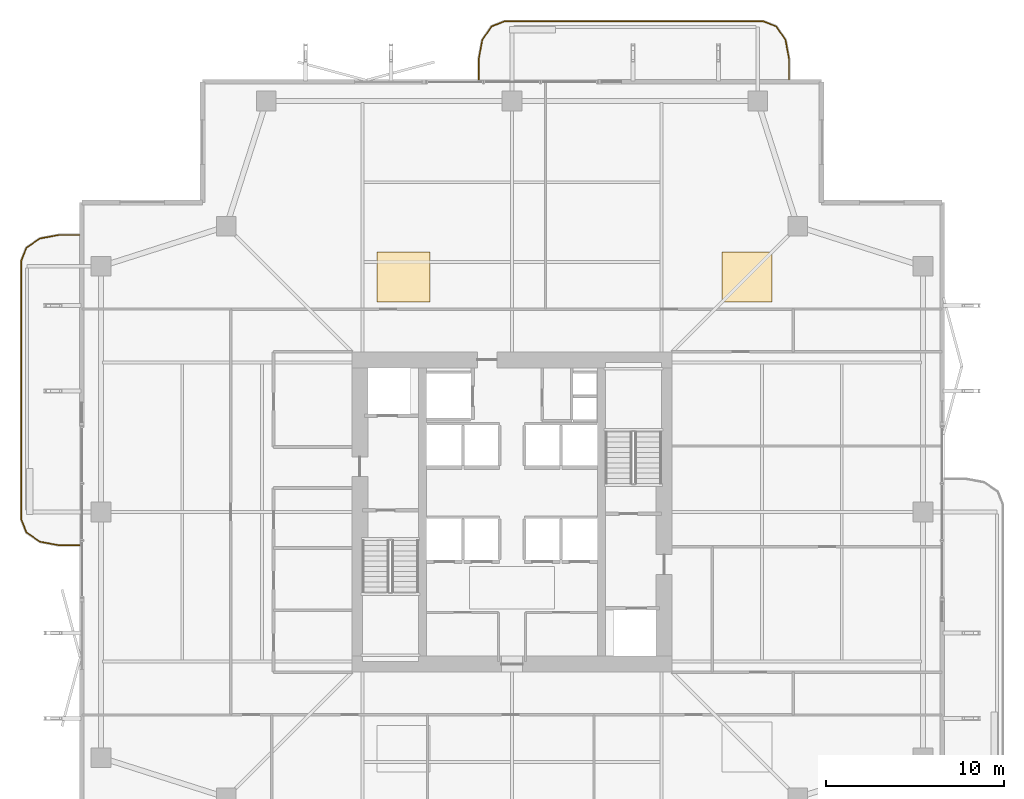
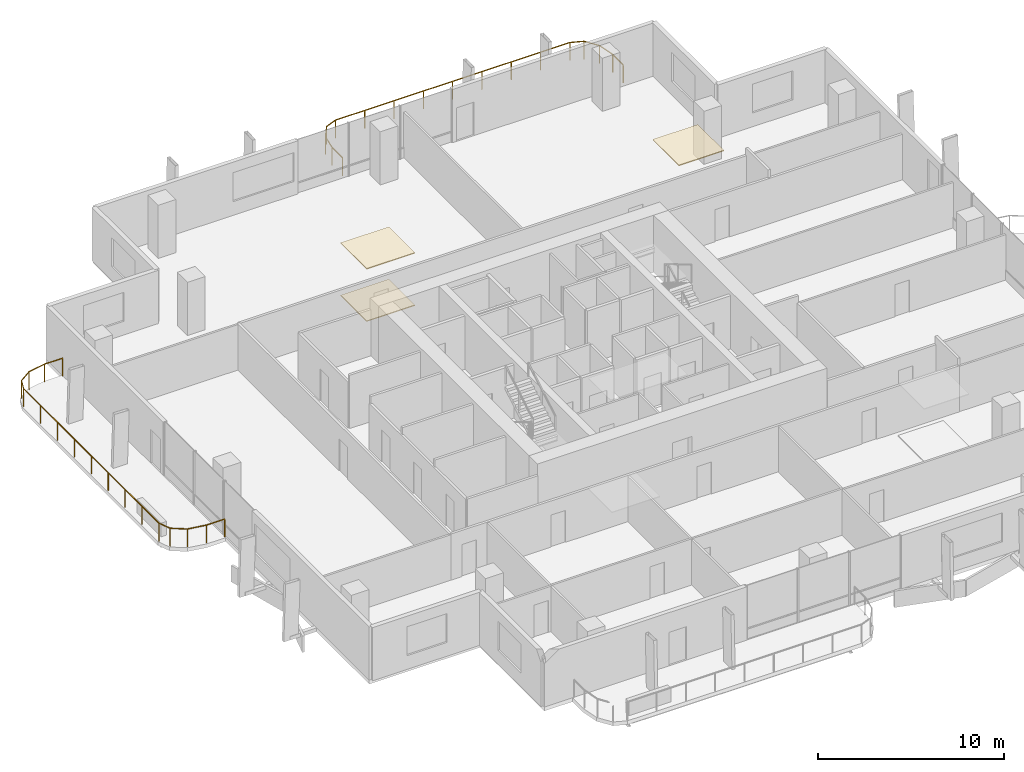
# One storey, part 25 of 25: 3 coverings, 2 railings.
"""IFC4 building model written with IfcOpenShell, lengths in metres."""

from ifc_helpers import new_model, si_unit, direction, frame, origin, origin_2d, place, context, subcontext, project, spatial, polyline, rectangle, outline, extrude, material, layer, layer_set, type_object, element, save


model = new_model("IFC4")

# Units and contexts
model_context = context("Model", 3, precision=1e-05, world=origin(), true_north=direction((0.0, 1.0)))
body_context = subcontext(model_context, "Body", "Model", "MODEL_VIEW")
ifc_project = project(units=[si_unit("LENGTHUNIT", "METRE"), si_unit("AREAUNIT", "SQUARE_METRE"), si_unit("VOLUMEUNIT", "CUBIC_METRE"), si_unit("PLANEANGLEUNIT", "RADIAN"), si_unit("MASSUNIT", "GRAM", prefix="KILO")], contexts=[model_context])

# Site, building, storey
site_placement = place(None, origin())
site = spatial("IfcSite", under=ifc_project, at=site_placement, CompositionType="ELEMENT")
building_placement = place(site_placement, origin())
building = spatial("IfcBuilding", under=site, at=building_placement, Name="Belovzor Exchange Tower", CompositionType="ELEMENT")
storey_placement = place(building_placement, frame((0.0, 0.0, 149.550048828125)))
storey = spatial("IfcBuildingStorey", under=building, at=storey_placement, Name="L36", CompositionType="ELEMENT", Elevation=149.550048828125)

# Railings
ifc_material_1 = material(Name="Stainless Steel and Laminated Safety Glass", Category="steel")
railing_type = type_object("IfcRailingType", Name="Laminated Glass & Stainless Steel Balcony Balustrade 1200", PredefinedType="BALUSTRADE", material=ifc_material_1)
railing_1_placement = place(storey_placement, frame((44.3701171875, 53.110107421875, 0.0)))
element("IfcRailing", 1, at=railing_1_placement, inside=storey, type_object=railing_type, Name="GR-1 Balcony Balustrade L36 North", PredefinedType="BALUSTRADE", context=body_context, shape_type="SweptSolid", body=[
    extrude(rectangle(XDim=0.048095703125, YDim=0.048095703125, at=origin_2d()), frame((0.0, 0.0, 1.17578125), z_axis=(0.0, 1.0, 0.0), x_axis=(-1.0, 0.0, 0.0)), (0.0, 0.0, 1.0), 1.1328125),
    extrude(rectangle(XDim=0.048095703125, YDim=0.048095703125, at=origin_2d()), frame((0.0, 1.1328125, 1.17578125), z_axis=(-0.180083182347, 0.983651385113, 0.0), x_axis=(-0.983651385113, -0.180083182347, 0.0)), (0.0, 0.0, 1.0), 1.093994140625),
    extrude(rectangle(XDim=0.048095703125, YDim=0.048095703125, at=origin_2d()), frame((-0.197021484375, 2.208984375, 1.17578125), z_axis=(-0.56294695933, 0.826493025367, 0.0), x_axis=(-0.826493025367, -0.56294695933, 0.0)), (0.0, 0.0, 1.0), 0.932861328125),
    extrude(rectangle(XDim=0.048095703125, YDim=0.048095703125, at=origin_2d()), frame((-0.72216796875, 2.97998046875, 1.17578125), z_axis=(-0.930766990125, 0.365612923861, 0.0), x_axis=(-0.365612923861, -0.930766990125, 0.0)), (0.0, 0.0, 1.0), 0.765869140625),
    extrude(rectangle(XDim=0.048095703125, YDim=0.048095703125, at=origin_2d()), frame((-1.43505859375, 3.260009765625, 1.17578125), z_axis=(-1.0, 0.0, 0.0), x_axis=(0.0, -1.0, 0.0)), (0.0, 0.0, 1.0), 14.570068359375),
    extrude(rectangle(XDim=0.048095703125, YDim=0.048095703125, at=origin_2d()), frame((-16.005126953125, 3.260009765625, 1.17578125), z_axis=(-0.930766990125, -0.365612923861, 0.0), x_axis=(0.365612923861, -0.930766990125, 0.0)), (0.0, 0.0, 1.0), 0.765869140625),
    extrude(rectangle(XDim=0.048095703125, YDim=0.048095703125, at=origin_2d()), frame((-16.718017578125, 2.97998046875, 1.17578125), z_axis=(-0.56294695933, -0.826493025367, 0.0), x_axis=(0.826493025367, -0.56294695933, 0.0)), (0.0, 0.0, 1.0), 0.932861328125),
    extrude(rectangle(XDim=0.048095703125, YDim=0.048095703125, at=origin_2d()), frame((-17.2431640625, 2.208984375, 1.17578125), z_axis=(-0.180083182347, -0.983651385113, 0.0), x_axis=(0.983651385113, -0.180083182347, 0.0)), (0.0, 0.0, 1.0), 1.093994140625),
    extrude(rectangle(XDim=0.048095703125, YDim=0.048095703125, at=origin_2d()), frame((-17.440185546875, 1.1328125, 1.17578125), z_axis=(0.0, -1.0, 0.0), x_axis=(1.0, 0.0, 0.0)), (0.0, 0.0, 1.0), 1.1328125),
    extrude(rectangle(XDim=0.0419921875, YDim=0.0419921875, at=origin_2d()), origin(), (0.0, 0.0, 1.0), 1.15185546875),
    extrude(rectangle(XDim=0.0419921875, YDim=0.0419921875, at=origin_2d()), frame((0.0, 1.1328125, 0.0)), (0.0, 0.0, 1.0), 1.15185546875),
    extrude(rectangle(XDim=0.0419921875, YDim=0.0419921875, at=origin_2d()), frame((-0.197021484375, 2.208984375, 0.0)), (0.0, 0.0, 1.0), 1.15185546875),
    extrude(rectangle(XDim=0.0419921875, YDim=0.0419921875, at=origin_2d()), frame((-0.72216796875, 2.97998046875, 0.0)), (0.0, 0.0, 1.0), 1.15185546875),
    extrude(rectangle(XDim=0.0419921875, YDim=0.0419921875, at=origin_2d()), frame((-1.43505859375, 3.260009765625, 0.0)), (0.0, 0.0, 1.0), 1.15185546875),
    extrude(rectangle(XDim=0.0419921875, YDim=0.0419921875, at=origin_2d()), frame((-3.25634765625, 3.260009765625, 0.0)), (0.0, 0.0, 1.0), 1.15185546875),
    extrude(rectangle(XDim=0.0419921875, YDim=0.0419921875, at=origin_2d()), frame((-5.07763671875, 3.260009765625, 0.0)), (0.0, 0.0, 1.0), 1.15185546875),
    extrude(rectangle(XDim=0.0419921875, YDim=0.0419921875, at=origin_2d()), frame((-6.89892578125, 3.260009765625, 0.0)), (0.0, 0.0, 1.0), 1.15185546875),
    extrude(rectangle(XDim=0.0419921875, YDim=0.0419921875, at=origin_2d()), frame((-8.72021484375, 3.260009765625, 0.0)), (0.0, 0.0, 1.0), 1.15185546875),
    extrude(rectangle(XDim=0.0419921875, YDim=0.0419921875, at=origin_2d()), frame((-10.541259765625, 3.260009765625, 0.0)), (0.0, 0.0, 1.0), 1.15185546875),
    extrude(rectangle(XDim=0.0419921875, YDim=0.0419921875, at=origin_2d()), frame((-12.362548828125, 3.260009765625, 0.0)), (0.0, 0.0, 1.0), 1.15185546875),
    extrude(rectangle(XDim=0.0419921875, YDim=0.0419921875, at=origin_2d()), frame((-14.183837890625, 3.260009765625, 0.0)), (0.0, 0.0, 1.0), 1.15185546875),
    extrude(rectangle(XDim=0.0419921875, YDim=0.0419921875, at=origin_2d()), frame((-16.005126953125, 3.260009765625, 0.0)), (0.0, 0.0, 1.0), 1.15185546875),
    extrude(rectangle(XDim=0.0419921875, YDim=0.0419921875, at=origin_2d()), frame((-16.718017578125, 2.97998046875, 0.0)), (0.0, 0.0, 1.0), 1.15185546875),
    extrude(rectangle(XDim=0.0419921875, YDim=0.0419921875, at=origin_2d()), frame((-17.2431640625, 2.208984375, 0.0)), (0.0, 0.0, 1.0), 1.15185546875),
    extrude(rectangle(XDim=0.0419921875, YDim=0.0419921875, at=origin_2d()), frame((-17.440185546875, 1.1328125, 0.0)), (0.0, 0.0, 1.0), 1.15185546875),
    extrude(rectangle(XDim=0.0419921875, YDim=0.0419921875, at=origin_2d()), frame((-17.440185546875, 0.0, 0.0)), (0.0, 0.0, 1.0), 1.15185546875),
])
railing_2_placement = place(storey_placement, frame((4.489990234375, 44.3701171875, 0.0)))
element("IfcRailing", 2, at=railing_2_placement, inside=storey, type_object=railing_type, Name="GR-1 Balcony Balustrade L36 West", PredefinedType="BALUSTRADE", context=body_context, shape_type="SweptSolid", body=[
    extrude(rectangle(XDim=0.048095703125, YDim=0.048095703125, at=origin_2d()), frame((0.0, 0.0, 1.17578125), z_axis=(-1.0, 0.0, 0.0), x_axis=(0.0, -1.0, 0.0)), (0.0, 0.0, 1.0), 1.133056640625),
    extrude(rectangle(XDim=0.048095703125, YDim=0.048095703125, at=origin_2d()), frame((-1.133056640625, 0.0, 1.17578125), z_axis=(-0.983644145941, -0.180122719713, 0.0), x_axis=(0.180122719713, -0.983644145941, 0.0)), (0.0, 0.0, 1.0), 1.09375),
    extrude(rectangle(XDim=0.048095703125, YDim=0.048095703125, at=origin_2d()), frame((-2.208984375, -0.197021484375, 1.17578125), z_axis=(-0.826493025367, -0.56294695933, 0.0), x_axis=(0.56294695933, -0.826493025367, 0.0)), (0.0, 0.0, 1.0), 0.932861328125),
    extrude(rectangle(XDim=0.048095703125, YDim=0.048095703125, at=origin_2d()), frame((-2.97998046875, -0.72216796875, 1.17578125), z_axis=(-0.365612923861, -0.930766990125, 0.0), x_axis=(0.930766990125, -0.365612923861, 0.0)), (0.0, 0.0, 1.0), 0.765869140625),
    extrude(rectangle(XDim=0.048095703125, YDim=0.048095703125, at=origin_2d()), frame((-3.260009765625, -1.43505859375, 1.17578125), z_axis=(0.0, -1.0, 0.0), x_axis=(1.0, 0.0, 0.0)), (0.0, 0.0, 1.0), 14.570068359375),
    extrude(rectangle(XDim=0.048095703125, YDim=0.048095703125, at=origin_2d()), frame((-3.260009765625, -16.005126953125, 1.17578125), z_axis=(0.365612923861, -0.930766990125, 0.0), x_axis=(0.930766990125, 0.365612923861, 0.0)), (0.0, 0.0, 1.0), 0.765869140625),
    extrude(rectangle(XDim=0.048095703125, YDim=0.048095703125, at=origin_2d()), frame((-2.97998046875, -16.718017578125, 1.17578125), z_axis=(0.826493025367, -0.56294695933, 0.0), x_axis=(0.56294695933, 0.826493025367, 0.0)), (0.0, 0.0, 1.0), 0.932861328125),
    extrude(rectangle(XDim=0.048095703125, YDim=0.048095703125, at=origin_2d()), frame((-2.208984375, -17.2431640625, 1.17578125), z_axis=(0.983644145941, -0.180122719713, 0.0), x_axis=(0.180122719713, 0.983644145941, 0.0)), (0.0, 0.0, 1.0), 1.09375),
    extrude(rectangle(XDim=0.048095703125, YDim=0.048095703125, at=origin_2d()), frame((-1.133056640625, -17.440185546875, 1.17578125), z_axis=(1.0, 0.0, 0.0), x_axis=(0.0, 1.0, 0.0)), (0.0, 0.0, 1.0), 1.133056640625),
    extrude(rectangle(XDim=0.0419921875, YDim=0.0419921875, at=origin_2d()), origin(), (0.0, 0.0, 1.0), 1.15185546875),
    extrude(rectangle(XDim=0.0419921875, YDim=0.0419921875, at=origin_2d()), frame((-1.133056640625, 0.0, 0.0)), (0.0, 0.0, 1.0), 1.15185546875),
    extrude(rectangle(XDim=0.0419921875, YDim=0.0419921875, at=origin_2d()), frame((-2.208984375, -0.197021484375, 0.0)), (0.0, 0.0, 1.0), 1.15185546875),
    extrude(rectangle(XDim=0.0419921875, YDim=0.0419921875, at=origin_2d()), frame((-2.97998046875, -0.72216796875, 0.0)), (0.0, 0.0, 1.0), 1.15185546875),
    extrude(rectangle(XDim=0.0419921875, YDim=0.0419921875, at=origin_2d()), frame((-3.260009765625, -1.43505859375, 0.0)), (0.0, 0.0, 1.0), 1.15185546875),
    extrude(rectangle(XDim=0.0419921875, YDim=0.0419921875, at=origin_2d()), frame((-3.260009765625, -3.25634765625, 0.0)), (0.0, 0.0, 1.0), 1.15185546875),
    extrude(rectangle(XDim=0.0419921875, YDim=0.0419921875, at=origin_2d()), frame((-3.260009765625, -5.07763671875, 0.0)), (0.0, 0.0, 1.0), 1.15185546875),
    extrude(rectangle(XDim=0.0419921875, YDim=0.0419921875, at=origin_2d()), frame((-3.260009765625, -6.89892578125, 0.0)), (0.0, 0.0, 1.0), 1.15185546875),
    extrude(rectangle(XDim=0.0419921875, YDim=0.0419921875, at=origin_2d()), frame((-3.260009765625, -8.72021484375, 0.0)), (0.0, 0.0, 1.0), 1.15185546875),
    extrude(rectangle(XDim=0.0419921875, YDim=0.0419921875, at=origin_2d()), frame((-3.260009765625, -10.541259765625, 0.0)), (0.0, 0.0, 1.0), 1.15185546875),
    extrude(rectangle(XDim=0.0419921875, YDim=0.0419921875, at=origin_2d()), frame((-3.260009765625, -12.362548828125, 0.0)), (0.0, 0.0, 1.0), 1.15185546875),
    extrude(rectangle(XDim=0.0419921875, YDim=0.0419921875, at=origin_2d()), frame((-3.260009765625, -14.183837890625, 0.0)), (0.0, 0.0, 1.0), 1.15185546875),
    extrude(rectangle(XDim=0.0419921875, YDim=0.0419921875, at=origin_2d()), frame((-3.260009765625, -16.005126953125, 0.0)), (0.0, 0.0, 1.0), 1.15185546875),
    extrude(rectangle(XDim=0.0419921875, YDim=0.0419921875, at=origin_2d()), frame((-2.97998046875, -16.718017578125, 0.0)), (0.0, 0.0, 1.0), 1.15185546875),
    extrude(rectangle(XDim=0.0419921875, YDim=0.0419921875, at=origin_2d()), frame((-2.208984375, -17.2431640625, 0.0)), (0.0, 0.0, 1.0), 1.15185546875),
    extrude(rectangle(XDim=0.0419921875, YDim=0.0419921875, at=origin_2d()), frame((-1.133056640625, -17.440185546875, 0.0)), (0.0, 0.0, 1.0), 1.15185546875),
    extrude(rectangle(XDim=0.0419921875, YDim=0.0419921875, at=origin_2d()), frame((0.0, -17.440185546875, 0.0)), (0.0, 0.0, 1.0), 1.15185546875),
])

# Coverings
ifc_material_2 = material(Name="Perforated Powder-Coated Aluminium", Category="aluminium")
ifc_layer_1 = layer(ifc_material_2, 0.06005859375)
ifc_layer_set_1 = layer_set([ifc_layer_1], Name="Perforated Powder-Coated Aluminium")
covering_type_1 = type_object("IfcCoveringType", Name="Perforated Acoustic Metal Tile Suspended Ceiling 60", PredefinedType="CEILING", material=ifc_layer_set_1)
covering_1_placement = place(storey_placement, frame((0.0, 0.0, 3.43505859375)))
element("IfcCovering", 3, at=covering_1_placement, inside=storey, type_object=covering_type_1, Name="CLG-AC60 Suspended Ceiling CLG-L36-Z2", PredefinedType="CEILING", context=body_context, shape_type="SweptSolid", body=[
    extrude(outline(polyline([(40.60009765625, 40.60009765625), (43.39990234375, 40.60009765625), (43.39990234375, 43.39990234375), (40.60009765625, 43.39990234375), (40.60009765625, 40.60009765625)])), origin(), (0.0, 0.0, 1.0), 0.059814453125),
])
covering_2_placement = place(storey_placement, frame((0.0, 0.0, 3.43505859375)))
element("IfcCovering", 4, at=covering_2_placement, inside=storey, type_object=covering_type_1, Name="CLG-AC60 Suspended Ceiling CLG-L36-Z3", PredefinedType="CEILING", context=body_context, shape_type="SweptSolid", body=[
    extrude(outline(polyline([(21.199951171875, 40.60009765625), (24.199951171875, 40.60009765625), (24.199951171875, 43.39990234375), (21.199951171875, 43.39990234375), (21.199951171875, 40.60009765625)])), origin(), (0.0, 0.0, 1.0), 0.059814453125),
])
ifc_material_3 = material(Name="Polished Natural Granite Tile", Category="masonry")
ifc_layer_2 = layer(ifc_material_3, 0.050048828125)
ifc_layer_set_2 = layer_set([ifc_layer_2], Name="Polished Natural Granite Tile")
covering_type_2 = type_object("IfcCoveringType", Name="Polished Karelian Granite & Raised Access Floor Finish 50", PredefinedType="FLOORING", material=ifc_layer_set_2)
covering_3_placement = place(storey_placement, origin())
element("IfcCovering", 5, at=covering_3_placement, inside=storey, type_object=covering_type_2, Name="FLR-GR50 Floor Finish FLR-L36-Z3", PredefinedType="FLOORING", context=body_context, shape_type="SweptSolid", body=[
    extrude(outline(polyline([(21.199951171875, 40.60009765625), (24.199951171875, 40.60009765625), (24.199951171875, 43.39990234375), (21.199951171875, 43.39990234375), (21.199951171875, 40.60009765625)])), origin(), (0.0, 0.0, 1.0), 0.050048828125),
])

save(model, "model.ifc")
